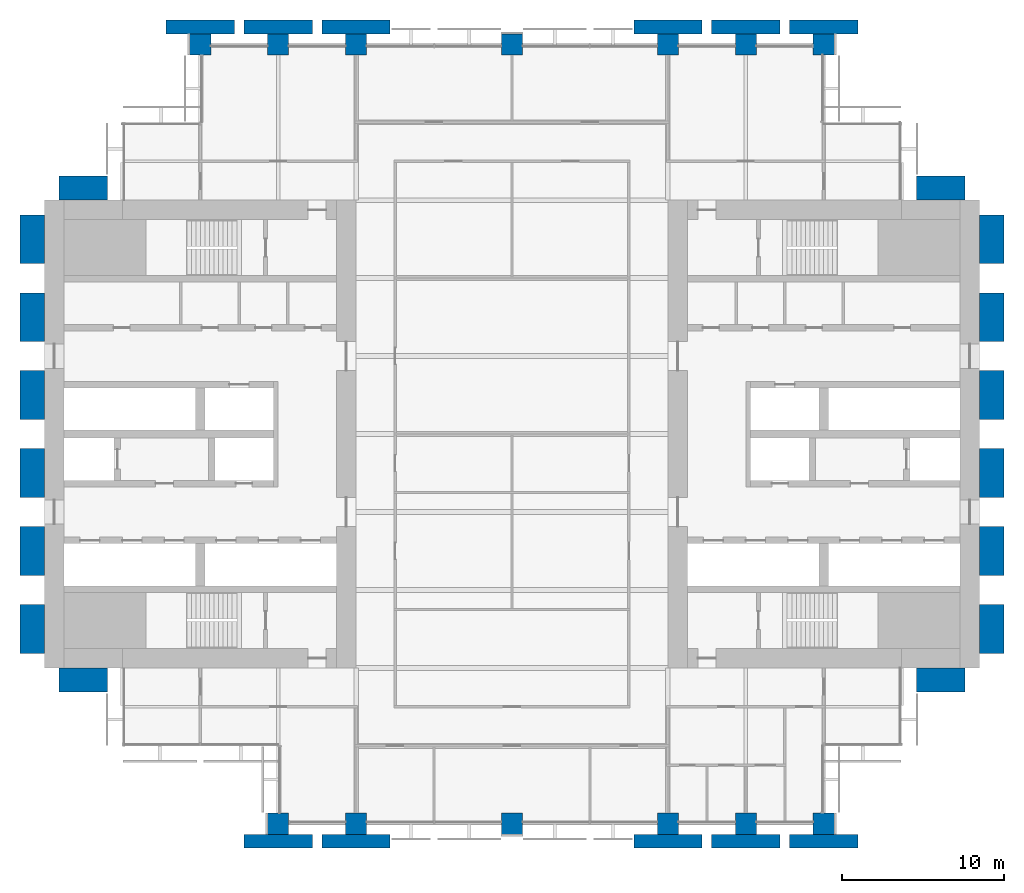
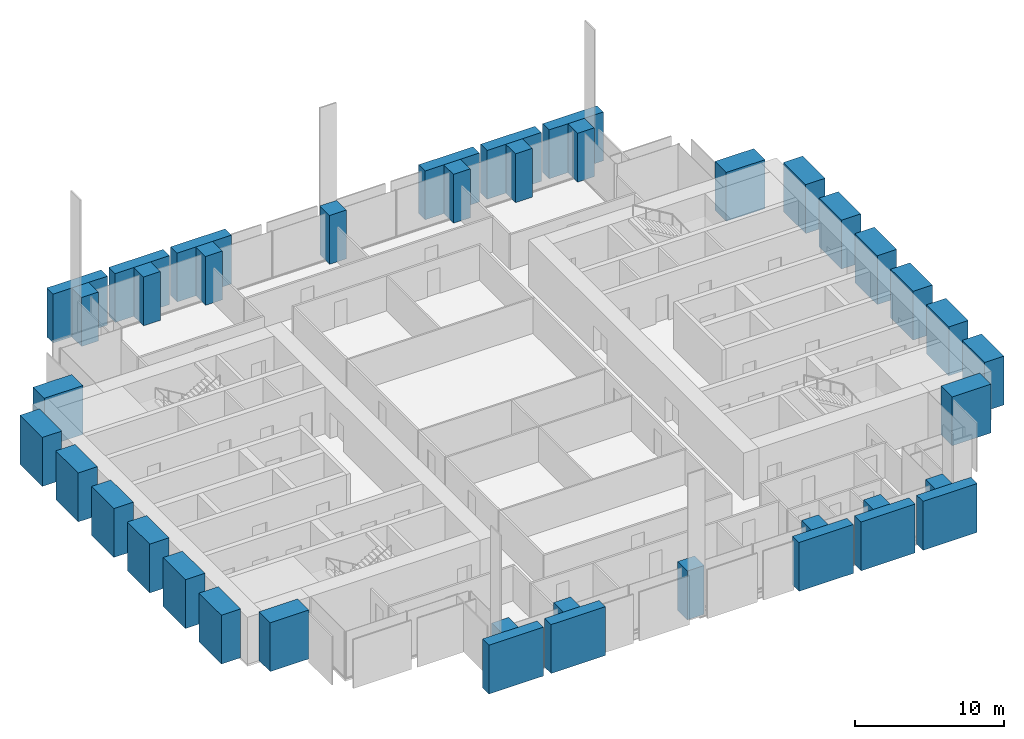
# One storey, part 1 of 14: 40 columns.
"""IFC4 building model written with IfcOpenShell, lengths in metres."""

from ifc_helpers import new_model, si_unit, direction, frame, origin, origin_2d, place, context, subcontext, project, spatial, rectangle, extrude, material, material_profile, profile_set, type_object, element, save


model = new_model("IFC4")

# Units and contexts
model_context = context("Model", 3, precision=1e-05, world=origin(), true_north=direction((0.0, 1.0)))
body_context = subcontext(model_context, "Body", "Model", "MODEL_VIEW")
ifc_project = project(units=[si_unit("LENGTHUNIT", "METRE"), si_unit("AREAUNIT", "SQUARE_METRE"), si_unit("VOLUMEUNIT", "CUBIC_METRE"), si_unit("PLANEANGLEUNIT", "RADIAN"), si_unit("MASSUNIT", "GRAM", prefix="KILO")], contexts=[model_context])

# Site, building, storey
site_placement = place(None, origin())
site = spatial("IfcSite", under=ifc_project, at=site_placement, CompositionType="ELEMENT")
building_placement = place(site_placement, origin())
building = spatial("IfcBuilding", under=site, at=building_placement, Name="Baori Bourse Tower", CompositionType="ELEMENT")
storey_placement = place(building_placement, frame((0.0, 0.0, 51.0)))
storey = spatial("IfcBuildingStorey", under=building, at=storey_placement, Name="L10", CompositionType="ELEMENT", Elevation=51.0)

# Columns
ifc_material_1 = material(Name="Concrete f'c 60 MPa", Category="concrete")
ifc_material_profile_1 = material_profile(ifc_material_1, rectangle(XDim=4.199951171875, YDim=0.85009765625, at=origin_2d()), Name="RC 4200x850")
ifc_profile_set_1 = profile_set([ifc_material_profile_1], Name="Concrete f'c 60 MPa")
column_type_1 = type_object("IfcColumnType", Name="FN3 Brick pilaster 4200x850", PredefinedType="PILASTER", material=ifc_profile_set_1)
for number, where, z_axis, x_axis, name in (
    (1, (14.39990234375, -1.074951171875, 0.0), (0.0, 0.0, 1.0), (1.0, 0.0, 0.0), "Brick pilaster L10 17"),
    (2, (19.199951171875, -1.074951171875, 0.0), (0.0, 0.0, 1.0), (1.0, 0.0, 0.0), "Brick pilaster L10 18"),
    (3, (38.39990234375, -1.074951171875, 0.0), (0.0, 0.0, 1.0), (1.0, 0.0, 0.0), "Brick pilaster L10 19"),
    (4, (43.199951171875, -1.074951171875, 0.0), (0.0, 0.0, 1.0), (1.0, 0.0, 0.0), "Brick pilaster L10 20"),
    (5, (48.0, -1.074951171875, 0.0), (0.0, 0.0, 1.0), (1.0, 0.0, 0.0), "Brick pilaster L10 21"),
    (6, (9.60009765625, 49.074951171875, 0.0), (0.0, 0.0, 1.0), (1.0, 0.0, 0.0), "Brick pilaster L10 22"),
    (7, (14.39990234375, 49.074951171875, 0.0), (0.0, 0.0, 1.0), (1.0, 0.0, 0.0), "Brick pilaster L10 23"),
    (8, (19.199951171875, 49.074951171875, 0.0), (0.0, 0.0, 1.0), (1.0, 0.0, 0.0), "Brick pilaster L10 24"),
    (9, (38.39990234375, 49.074951171875, 0.0), (0.0, 0.0, 1.0), (1.0, 0.0, 0.0), "Brick pilaster L10 25"),
    (10, (43.199951171875, 49.074951171875, 0.0), (0.0, 0.0, 1.0), (1.0, 0.0, 0.0), "Brick pilaster L10 26"),
    (11, (48.0, 49.074951171875, 0.0), (0.0, 0.0, 1.0), (1.0, 0.0, 0.0), "Brick pilaster L10 27"),
):
    element("IfcColumn", number, at=place(storey_placement, frame(where, z_axis=z_axis, x_axis=x_axis)), inside=storey, type_object=column_type_1, Name=name, PredefinedType="PILASTER", context=body_context, shape_type="SweptSolid", body=[
        extrude(rectangle(XDim=4.199951171875, YDim=0.85009765625, at=origin_2d()), origin(), (0.0, 0.0, 1.0), 4.0),
    ])
ifc_material_2 = material(Name="Concrete f'c 60 MPa", Category="concrete")
ifc_material_profile_2 = material_profile(ifc_material_2, rectangle(XDim=3.0, YDim=1.5, at=origin_2d()), Name="RC 3000x1500")
ifc_profile_set_2 = profile_set([ifc_material_profile_2], Name="Concrete f'c 60 MPa")
column_type_2 = type_object("IfcColumnType", Name="FN4 Brick flank pilaster 3000x1500", PredefinedType="PILASTER", material=ifc_profile_set_2)
for number, where, z_axis, x_axis, name in (
    (12, (55.199951171875, 8.85009765625, 0.0), (0.0, 0.0, 1.0), (1.0, 0.0, 0.0), "Brick pilaster L10 1"),
    (13, (58.35009765625, 12.0, 0.0), (0.0, 0.0, 1.0), (0.0, 1.0, 0.0), "Brick pilaster L10 2"),
    (14, (58.35009765625, 16.800048828125, 0.0), (0.0, 0.0, 1.0), (0.0, 1.0, 0.0), "Brick pilaster L10 3"),
    (15, (58.35009765625, 21.60009765625, 0.0), (0.0, 0.0, 1.0), (0.0, 1.0, 0.0), "Brick pilaster L10 4"),
    (16, (58.35009765625, 26.39990234375, 0.0), (0.0, 0.0, 1.0), (0.0, 1.0, 0.0), "Brick pilaster L10 5"),
    (17, (58.35009765625, 31.199951171875, 0.0), (0.0, 0.0, 1.0), (0.0, 1.0, 0.0), "Brick pilaster L10 6"),
    (18, (58.35009765625, 36.0, 0.0), (0.0, 0.0, 1.0), (0.0, 1.0, 0.0), "Brick pilaster L10 7"),
    (19, (55.199951171875, 39.14990234375, 0.0), (0.0, 0.0, 1.0), (1.0, 0.0, 0.0), "Brick pilaster L10 8"),
    (20, (2.39990234375, 39.14990234375, 0.0), (0.0, 0.0, 1.0), (1.0, 0.0, 0.0), "Brick pilaster L10 9"),
    (21, (-0.75, 12.0, 0.0), (0.0, 0.0, 1.0), (0.0, 1.0, 0.0), "Brick pilaster L10 10"),
    (22, (-0.75, 16.800048828125, 0.0), (0.0, 0.0, 1.0), (0.0, 1.0, 0.0), "Brick pilaster L10 11"),
    (23, (-0.75, 21.60009765625, 0.0), (0.0, 0.0, 1.0), (0.0, 1.0, 0.0), "Brick pilaster L10 12"),
    (24, (-0.75, 26.39990234375, 0.0), (0.0, 0.0, 1.0), (0.0, 1.0, 0.0), "Brick pilaster L10 13"),
    (25, (-0.75, 31.199951171875, 0.0), (0.0, 0.0, 1.0), (0.0, 1.0, 0.0), "Brick pilaster L10 14"),
    (26, (-0.75, 36.0, 0.0), (0.0, 0.0, 1.0), (0.0, 1.0, 0.0), "Brick pilaster L10 15"),
    (27, (2.39990234375, 8.85009765625, 0.0), (0.0, 0.0, 1.0), (1.0, 0.0, 0.0), "Brick pilaster L10 16"),
):
    element("IfcColumn", number, at=place(storey_placement, frame(where, z_axis=z_axis, x_axis=x_axis)), inside=storey, type_object=column_type_2, Name=name, PredefinedType="PILASTER", context=body_context, shape_type="SweptSolid", body=[
        extrude(rectangle(XDim=3.0, YDim=1.5, at=origin_2d()), origin(), (0.0, 0.0, 1.0), 4.0),
    ])
ifc_material_3 = material(Name="Concrete f'c 70 MPa", Category="concrete")
ifc_material_profile_3 = material_profile(ifc_material_3, rectangle(XDim=1.300048828125, YDim=1.300048828125, at=origin_2d()), Name="RC 1300x1300")
ifc_profile_set_3 = profile_set([ifc_material_profile_3], Name="Concrete f'c 70 MPa")
column_type_3 = type_object("IfcColumnType", Name="Perimeter column RC 1300x1300", PredefinedType="COLUMN", material=ifc_profile_set_3)
for number, where, z_axis, x_axis, name in (
    (28, (14.39990234375, 0.0, 0.0), (0.0, 0.0, 1.0), (1.0, 0.0, 0.0), "Perimeter column L10"),
    (29, (19.199951171875, 0.0, 0.0), (0.0, 0.0, 1.0), (1.0, 0.0, 0.0), "Perimeter column L10"),
    (30, (28.800048828125, 0.0, 0.0), (0.0, 0.0, 1.0), (1.0, 0.0, 0.0), "Perimeter column L10"),
    (31, (38.39990234375, 0.0, 0.0), (0.0, 0.0, 1.0), (1.0, 0.0, 0.0), "Perimeter column L10"),
    (32, (43.199951171875, 0.0, 0.0), (0.0, 0.0, 1.0), (1.0, 0.0, 0.0), "Perimeter column L10"),
    (33, (48.0, 0.0, 0.0), (0.0, 0.0, 1.0), (1.0, 0.0, 0.0), "Perimeter column L10"),
    (34, (9.60009765625, 48.0, 0.0), (0.0, 0.0, 1.0), (1.0, 0.0, 0.0), "Perimeter column L10"),
    (35, (14.39990234375, 48.0, 0.0), (0.0, 0.0, 1.0), (1.0, 0.0, 0.0), "Perimeter column L10"),
    (36, (19.199951171875, 48.0, 0.0), (0.0, 0.0, 1.0), (1.0, 0.0, 0.0), "Perimeter column L10"),
    (37, (28.800048828125, 48.0, 0.0), (0.0, 0.0, 1.0), (1.0, 0.0, 0.0), "Perimeter column L10"),
    (38, (38.39990234375, 48.0, 0.0), (0.0, 0.0, 1.0), (1.0, 0.0, 0.0), "Perimeter column L10"),
    (39, (43.199951171875, 48.0, 0.0), (0.0, 0.0, 1.0), (1.0, 0.0, 0.0), "Perimeter column L10"),
    (40, (48.0, 48.0, 0.0), (0.0, 0.0, 1.0), (1.0, 0.0, 0.0), "Perimeter column L10"),
):
    element("IfcColumn", number, at=place(storey_placement, frame(where, z_axis=z_axis, x_axis=x_axis)), inside=storey, type_object=column_type_3, Name=name, PredefinedType="COLUMN", context=body_context, shape_type="SweptSolid", body=[
        extrude(rectangle(XDim=1.300048828125, YDim=1.300048828125, at=origin_2d()), origin(), (0.0, 0.0, 1.0), 4.0),
    ])

save(model, "model.ifc")
